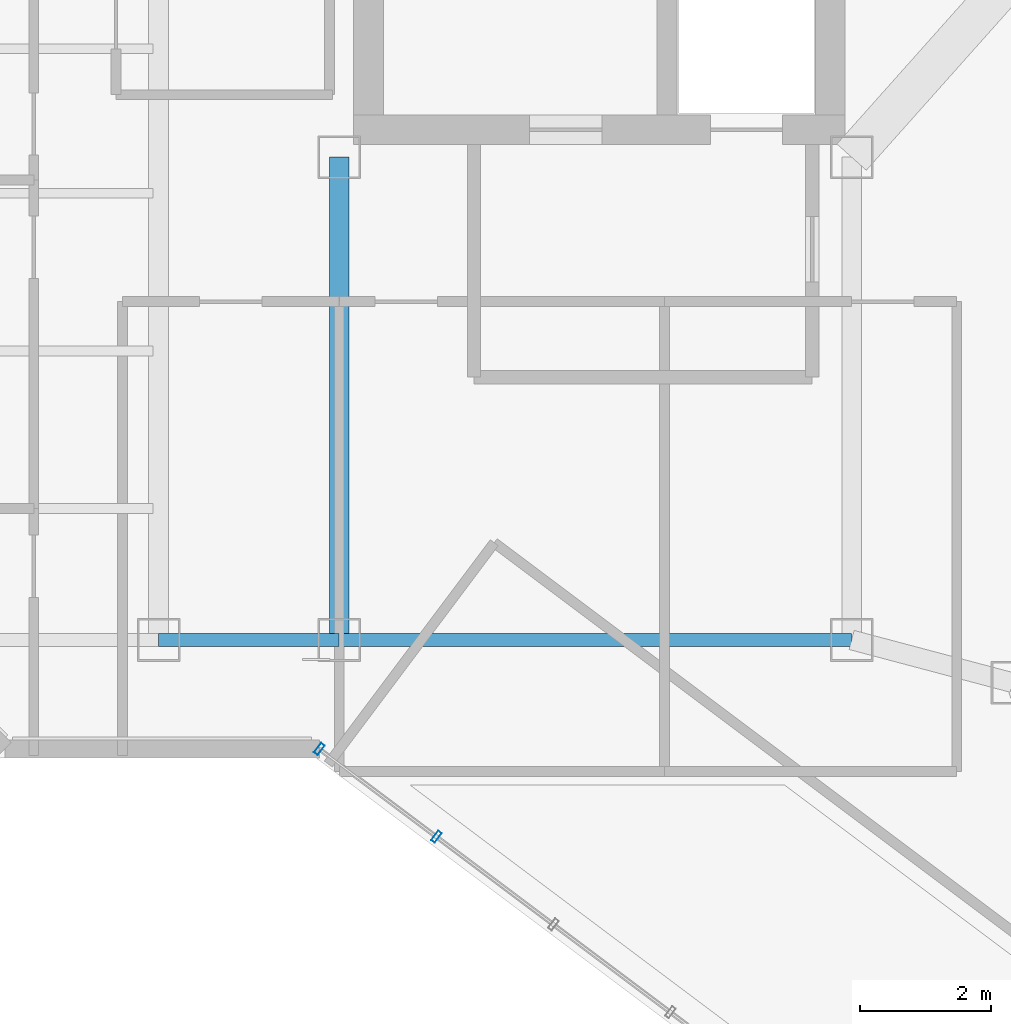
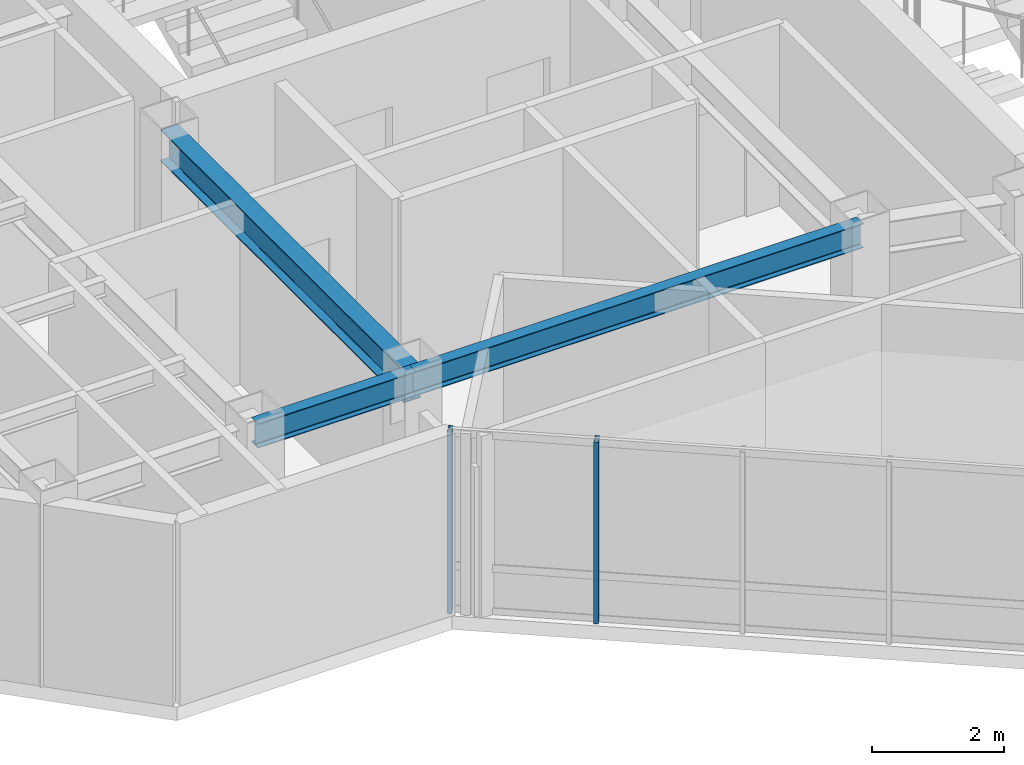
# One storey, part 4 of 21: 3 beams, 2 members, 1 element without a shape of its own.
"""IFC4 building model written with IfcOpenShell, lengths in metres."""

import ifcopenshell
import ifcopenshell.guid

model = None  # the IFC model being written
_history = None  # IfcOwnerHistory: only IFC2X3 demands one
_inside = {}  # id of a spatial element -> (the spatial element, [elements in it])
_under = {}  # id of a project, library or spatial element -> (it, [spatial elements below it])
_declared = {}  # id of a project -> (the project, [libraries it declares])
_typed = {}  # id of a type object -> (the type object, [elements of that type])
_made_of = {}  # id of a material, layer set ... -> (it, [elements and type objects made of it])


def new_model(schema):
    """Start an empty IFC model of exactly this schema.

    Asked for "IFC4X3", IfcOpenShell would pick the latest addendum, in which some entities
    have other attributes; the version numbers below select the first issue.
    IFC2X3 requires an IfcOwnerHistory on every rooted entity: one is made here for all.
    """
    global model, _history
    if schema == "IFC4X3":
        model = ifcopenshell.file(schema_version=(4, 3, 0, 0))
    else:
        model = ifcopenshell.file(schema=schema)
    _inside.clear()
    _under.clear()
    _declared.clear()
    _typed.clear()
    _made_of.clear()
    _history = None
    if model.schema == "IFC2X3":
        org = make("IfcOrganization", Name="unknown")
        user = make(
            "IfcPersonAndOrganization",
            ThePerson=make("IfcPerson", FamilyName="unknown"),
            TheOrganization=org,
        )
        app = make(
            "IfcApplication",
            ApplicationDeveloper=org,
            Version="unknown",
            ApplicationFullName="unknown",
            ApplicationIdentifier="unknown",
        )
        _history = make(
            "IfcOwnerHistory",
            OwningUser=user,
            OwningApplication=app,
            ChangeAction="ADDED",
            CreationDate=0,
        )
    return model


def make(cls, **values):
    """One entity of the class cls with the attributes given. An attribute that is None is left unset."""
    return model.create_entity(
        cls, **{name: value for name, value in values.items() if value is not None}
    )


def rooted(cls, **values):
    """An entity with a GlobalId (a new one), such as an element, a storey or a relation."""
    return make(cls, GlobalId=ifcopenshell.guid.new(), OwnerHistory=_history, **values)


def si_unit(unit_type, name, prefix=None):
    """IfcSIUnit, for example si_unit("LENGTHUNIT", "METRE", prefix="MILLI")."""
    return make("IfcSIUnit", UnitType=unit_type, Prefix=prefix, Name=name)


def assignment(units):
    """IfcUnitAssignment: the units of a project."""
    return None if units is None else make("IfcUnitAssignment", Units=units)


def point(xyz):
    """IfcCartesianPoint."""
    return None if xyz is None else make("IfcCartesianPoint", Coordinates=xyz)


def direction(xyz):
    """IfcDirection."""
    return None if xyz is None else make("IfcDirection", DirectionRatios=xyz)


def frame(location, z_axis=None, x_axis=None):
    """IfcAxis2Placement3D, a coordinate frame: its origin and axes. An axis left out is left unset."""
    return make(
        "IfcAxis2Placement3D",
        Location=point(location),
        Axis=direction(z_axis),
        RefDirection=direction(x_axis),
    )


def frame_2d(location, x_axis=None):
    """IfcAxis2Placement2D, a coordinate frame in the plane: its origin and x axis."""
    return make(
        "IfcAxis2Placement2D", Location=point(location), RefDirection=direction(x_axis)
    )


def origin():
    """The frame at (0, 0, 0) with its axes left unset."""
    return frame((0.0, 0.0, 0.0))


def origin_2d():
    """The frame at (0, 0) in the plane with its x axis left unset."""
    return frame_2d((0.0, 0.0))


def place(relative_to, where):
    """IfcLocalPlacement: puts the frame where relative to a parent placement (None: the world)."""
    return make(
        "IfcLocalPlacement", PlacementRelTo=relative_to, RelativePlacement=where
    )


def context(
    kind, dimensions, precision=None, world=None, true_north=None, identifier=None
):
    """IfcGeometricRepresentationContext, for example the 3D "Model" context."""
    return make(
        "IfcGeometricRepresentationContext",
        ContextIdentifier=identifier,
        ContextType=kind,
        CoordinateSpaceDimension=dimensions,
        Precision=precision,
        WorldCoordinateSystem=world,
        TrueNorth=true_north,
    )


def subcontext(parent, identifier, kind, view, scale=None):
    """IfcGeometricRepresentationSubContext, for example "Body" below "Model"."""
    return make(
        "IfcGeometricRepresentationSubContext",
        ContextIdentifier=identifier,
        ContextType=kind,
        ParentContext=parent,
        TargetScale=scale,
        TargetView=view,
    )


def project(units=None, contexts=None):
    """IfcProject with its units and contexts."""
    return rooted(
        "IfcProject",
        Name="project",
        RepresentationContexts=contexts,
        UnitsInContext=assignment(units),
    )


def spatial(cls, under=None, at=None, **own):
    """A site, building, storey or space (cls), placed at a placement, below another one or the project."""
    s = rooted(cls, ObjectPlacement=at, **own)
    if under is not None:
        _under.setdefault(under.id(), (under, []))[1].append(s)
    return s


def profile(cls, at=None, kind="AREA", **sizes):
    """A parametric profile (cls). Its sizes go by their IFC names, for example OverallWidth=200.0."""
    return make(cls, ProfileType=kind, Position=at, **sizes)


def hollow_rectangle(**sizes):
    """IfcRectangleHollowProfileDef."""
    return profile("IfcRectangleHollowProfileDef", **sizes)


def i_section(**sizes):
    """IfcIShapeProfileDef."""
    return profile("IfcIShapeProfileDef", **sizes)


def extrude(swept, where, along, depth):
    """IfcExtrudedAreaSolid: the profile swept, set in the frame where, extruded along a direction by depth."""
    return make(
        "IfcExtrudedAreaSolid",
        SweptArea=swept,
        Position=where,
        ExtrudedDirection=direction(along),
        Depth=depth,
    )


def shape(context_of_items, identifier, shape_type, items):
    """IfcShapeRepresentation: the items that make up one representation, for example the "Body"."""
    return make(
        "IfcShapeRepresentation",
        ContextOfItems=context_of_items,
        RepresentationIdentifier=identifier,
        RepresentationType=shape_type,
        Items=items,
    )


def material(Name=None, Category=None):
    """IfcMaterial."""
    return make("IfcMaterial", Name=Name, Category=Category)


def layer(
    of_material, thickness, ventilated=None, Name=None, Category=None, Priority=None
):
    """IfcMaterialLayer: one layer of a wall or slab, of a material (None: an air gap)."""
    return make(
        "IfcMaterialLayer",
        Material=of_material,
        LayerThickness=thickness,
        IsVentilated=ventilated,
        Name=Name,
        Category=Category,
        Priority=Priority,
    )


def layer_set(layers, Name=None):
    """IfcMaterialLayerSet."""
    return make("IfcMaterialLayerSet", MaterialLayers=layers, LayerSetName=Name)


def material_profile(
    of_material, cross_section, Name=None, Category=None, Priority=None
):
    """IfcMaterialProfile: a cross section and its material."""
    return make(
        "IfcMaterialProfile",
        Name=Name,
        Material=of_material,
        Profile=cross_section,
        Priority=Priority,
        Category=Category,
    )


def profile_set(profiles, Name=None, composite=None):
    """IfcMaterialProfileSet."""
    return make(
        "IfcMaterialProfileSet",
        Name=Name,
        MaterialProfiles=profiles,
        CompositeProfile=composite,
    )


def made_of(thing, what):
    """Note that an element or type object is made of a material, layer set ...; save() writes the relation."""
    if what is not None:
        _made_of.setdefault(what.id(), (what, []))[1].append(thing)
    return thing


def type_object(cls, material=None, **own):
    """A type object (cls), such as IfcWallType, which elements share."""
    return made_of(rooted(cls, **own), material)


def element(
    cls,
    number,
    at=None,
    inside=None,
    cuts=None,
    type_object=None,
    material=None,
    context=None,
    identifier="Body",
    shape_type=None,
    held_by="IfcProductDefinitionShape",
    body=None,
    shapes=None,
    **own,
):
    """One element of the class cls, such as IfcWall. Its Tag is "e" and its number.

    at: its placement. inside: the storey or other place that contains it. cuts: it is an
    opening in that element (IfcRelVoidsElement). A single representation is given by context,
    identifier, shape_type and body (its items); several are given by shapes. held_by: the class
    of the entity that holds the representations. save() writes the other relations.
    """
    e = rooted(cls, Tag="e%d" % number, ObjectPlacement=at, **own)
    if body is not None:
        shapes = [shape(context, identifier, shape_type, body)]
    if shapes is not None:
        e.Representation = make(held_by, Representations=shapes)
    if inside is not None:
        _inside.setdefault(inside.id(), (inside, []))[1].append(e)
    if cuts is not None:
        rooted(
            "IfcRelVoidsElement", RelatingBuildingElement=cuts, RelatedOpeningElement=e
        )
    if type_object is not None:
        _typed.setdefault(type_object.id(), (type_object, []))[1].append(e)
    return made_of(e, material)


def aggregate(whole, parts):
    """IfcRelAggregates: a whole, such as a stair, and the parts it consists of."""
    return rooted("IfcRelAggregates", RelatingObject=whole, RelatedObjects=parts)


def save(model, path):
    """Write the relations noted so far, then the file.

    IfcRelAggregates (storeys below a building ...), IfcRelContainedInSpatialStructure (elements
    in a storey), IfcRelDefinesByType, IfcRelAssociatesMaterial and IfcRelDeclares: one each for
    every whole, place, type object, material and project.
    """
    for whole, parts in _under.values():
        aggregate(whole, parts)
    for where, things in _inside.values():
        rooted(
            "IfcRelContainedInSpatialStructure",
            RelatedElements=things,
            RelatingStructure=where,
        )
    for kind, things in _typed.values():
        rooted("IfcRelDefinesByType", RelatedObjects=things, RelatingType=kind)
    for what, things in _made_of.values():
        rooted("IfcRelAssociatesMaterial", RelatedObjects=things, RelatingMaterial=what)
    for by, libraries in _declared.values():
        rooted("IfcRelDeclares", RelatingContext=by, RelatedDefinitions=libraries)
    model.write(path)


model = new_model("IFC4")

# Units and contexts
model_context = context("Model", 3, precision=1e-05, world=origin(), true_north=direction((0.0, 1.0)))
body_context = subcontext(model_context, "Body", "Model", "MODEL_VIEW")
ifc_project = project(units=[si_unit("LENGTHUNIT", "METRE"), si_unit("AREAUNIT", "SQUARE_METRE"), si_unit("VOLUMEUNIT", "CUBIC_METRE"), si_unit("PLANEANGLEUNIT", "RADIAN"), si_unit("MASSUNIT", "GRAM", prefix="KILO")], contexts=[model_context])

# Site, building, storey
site_placement = place(None, origin())
site = spatial("IfcSite", under=ifc_project, at=site_placement, CompositionType="ELEMENT")
building_placement = place(site_placement, origin())
building = spatial("IfcBuilding", under=site, at=building_placement, Name="Hatsunagi Terrace Concourse", CompositionType="ELEMENT")
storey_placement = place(building_placement, frame((0.0, 0.0, 246.75)))
storey = spatial("IfcBuildingStorey", under=building, at=storey_placement, Name="L65", CompositionType="ELEMENT", Elevation=246.75)

# Curtain wall, members
ifc_material_1 = material(Name="Anodised Aluminium Alloy 6063-T5", Category="aluminium")
ifc_layer = layer(ifc_material_1, 0.199951171875)
ifc_layer_set = layer_set([ifc_layer], Name="OfficeZone2_CW04")
curtain_wall_type = type_object("IfcCurtainWallType", Name="OfficeZone2_CW04", PredefinedType="NOTDEFINED", material=ifc_layer_set)
curtain_wall_placement = place(storey_placement, origin())
curtain_wall = element("IfcCurtainWall", 1, at=curtain_wall_placement, inside=storey, type_object=curtain_wall_type, Name="Unitised Curtain Wall CW-04 CW-L65-05", PredefinedType="NOTDEFINED")
ifc_material_2 = material(Name="Anodised Aluminium Alloy 6063-T5", Category="aluminium")
ifc_material_profile_1 = material_profile(ifc_material_2, hollow_rectangle(XDim=0.070068359375, YDim=0.179931640625, WallThickness=0.00390625, at=origin_2d()), Name="ALU-MUL-180x70x4")
ifc_profile_set_1 = profile_set([ifc_material_profile_1], Name="Anodised Aluminium Alloy 6063-T5")
member_type = type_object("IfcMemberType", Name="CurtainWallMullion_180x70", PredefinedType="MULLION", material=ifc_profile_set_1)
member_1_placement = place(storey_placement, frame((27.029052734375, 22.2041015625, 0.0), z_axis=(0.0, 0.0, 1.0), x_axis=(-0.800007305671, 0.599990258982, 0.0)))
member_1 = element("IfcMember", 2, at=member_1_placement, type_object=member_type, Name="Curtain Wall Mullion MUL-02", PredefinedType="MULLION", context=body_context, shape_type="SweptSolid", body=[
    extrude(hollow_rectangle(XDim=0.070068359375, YDim=0.179931640625, WallThickness=0.00390625, at=origin_2d()), origin(), (0.0, 0.0, 1.0), 3.35009765625),
])
member_2_placement = place(storey_placement, frame((25.2470703125, 23.5400390625, 0.0), z_axis=(0.0, 0.0, 1.0), x_axis=(-0.800007305671, 0.599990258982, 0.0)))
member_2 = element("IfcMember", 3, at=member_2_placement, type_object=member_type, Name="Curtain Wall Mullion MUL-02", PredefinedType="MULLION", context=body_context, shape_type="SweptSolid", body=[
    extrude(hollow_rectangle(XDim=0.070068359375, YDim=0.179931640625, WallThickness=0.00390625, at=origin_2d()), origin(), (0.0, 0.0, 1.0), 3.35009765625),
])
aggregate(curtain_wall, [member_1, member_2])

# Beams
ifc_material_3 = material(Name="Steel SN490B", Category="steel")
ifc_material_profile_2 = material_profile(ifc_material_3, i_section(OverallWidth=0.300048828125, OverallDepth=0.587890625, WebThickness=0.011962890625, FlangeThickness=0.02001953125, FilletRadius=0.01806640625, at=origin_2d()), Name="H-588x300x12x20")
ifc_profile_set_2 = profile_set([ifc_material_profile_2], Name="Steel SN490B")
beam_type_1 = type_object("IfcBeamType", Name="OfficeHighGirder_H_588x300", PredefinedType="BEAM", material=ifc_profile_set_2)
beam_1_placement = place(storey_placement, frame((25.550048828125, 25.199951171875, 3.055908203125), z_axis=(0.0, 1.0, 0.0), x_axis=(-1.0, 0.0, 0.0)))
element("IfcBeam", 4, at=beam_1_placement, inside=storey, type_object=beam_type_1, Name="Beam G-06 BM-L65-K1CA", PredefinedType="BEAM", context=body_context, shape_type="SweptSolid", body=[
    extrude(i_section(OverallWidth=0.300048828125, OverallDepth=0.587890625, WebThickness=0.011962890625, FlangeThickness=0.02001953125, FilletRadius=0.01806640625, at=origin_2d()), origin(), (0.0, 0.0, 1.0), 7.35009765625),
])
ifc_material_4 = material(Name="Steel SN490B", Category="steel")
ifc_material_profile_3 = material_profile(ifc_material_4, i_section(OverallWidth=0.199951171875, OverallDepth=0.449951171875, WebThickness=0.009033203125, FlangeThickness=0.013916015625, FilletRadius=0.01611328125, at=origin_2d()), Name="H-450x200x9x14")
ifc_profile_set_3 = profile_set([ifc_material_profile_3], Name="Steel SN490B")
beam_type_2 = type_object("IfcBeamType", Name="PerimeterSpandrel_H_450x200", PredefinedType="SPANDREL", material=ifc_profile_set_3)
beam_2_placement = place(storey_placement, frame((22.800048828125, 25.199951171875, 3.125), z_axis=(1.0, 0.0, 0.0), x_axis=(0.0, 1.0, 0.0)))
element("IfcBeam", 5, at=beam_2_placement, inside=storey, type_object=beam_type_2, Name="Beam SP-02 BM-L65-WS-22", PredefinedType="SPANDREL", context=body_context, shape_type="SweptSolid", body=[
    extrude(i_section(OverallWidth=0.199951171875, OverallDepth=0.449951171875, WebThickness=0.009033203125, FlangeThickness=0.013916015625, FilletRadius=0.01611328125, at=origin_2d()), origin(), (0.0, 0.0, 1.0), 2.75),
])
beam_3_placement = place(storey_placement, frame((25.550048828125, 25.199951171875, 3.125), z_axis=(1.0, 0.0, 0.0), x_axis=(0.0, 1.0, 0.0)))
element("IfcBeam", 6, at=beam_3_placement, inside=storey, type_object=beam_type_2, Name="Beam SP-02 BM-L65-WS-25", PredefinedType="SPANDREL", context=body_context, shape_type="SweptSolid", body=[
    extrude(i_section(OverallWidth=0.199951171875, OverallDepth=0.449951171875, WebThickness=0.009033203125, FlangeThickness=0.013916015625, FilletRadius=0.01611328125, at=origin_2d()), origin(), (0.0, 0.0, 1.0), 7.800048828125),
])

save(model, "model.ifc")
